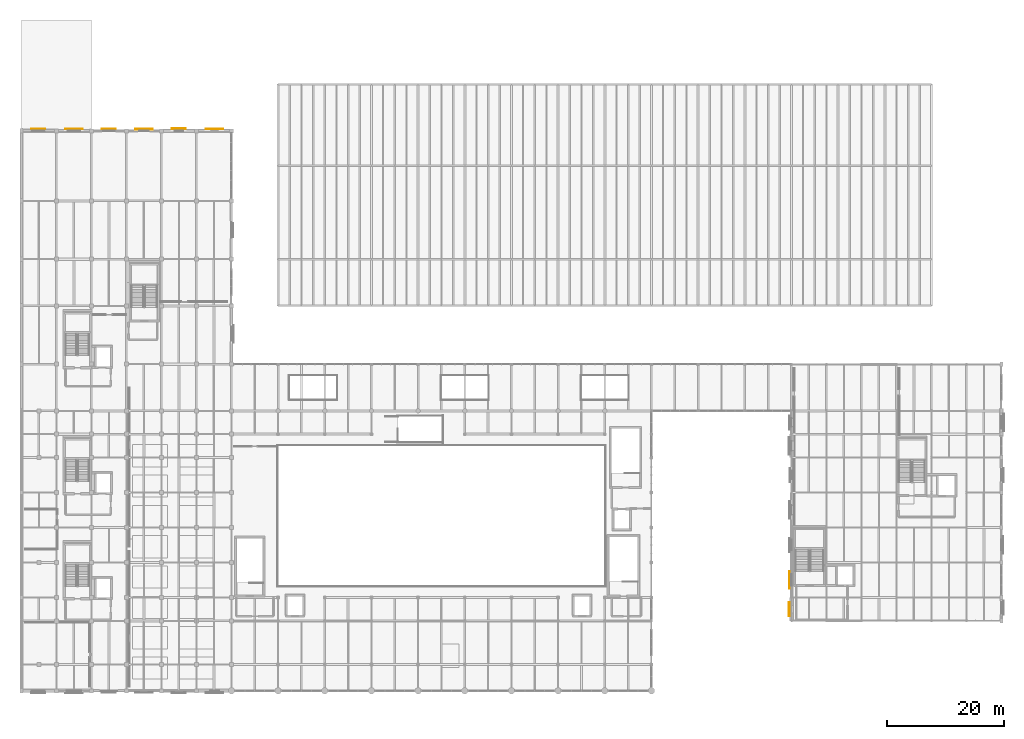
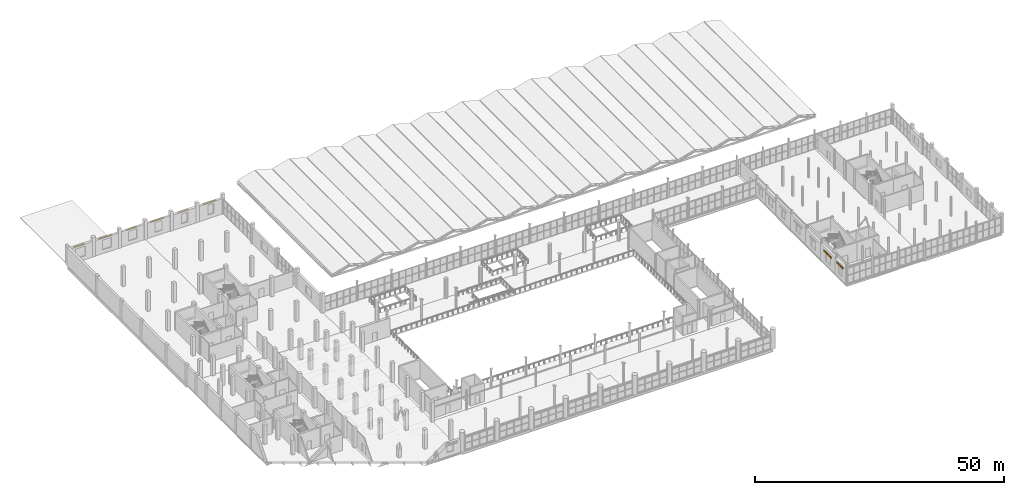
# One storey, part 111 of 114: 8 shading devices.
"""IFC4 building model written with IfcOpenShell, lengths in metres."""

from ifc_helpers import new_model, si_unit, direction, frame, origin, origin_2d, place, context, subcontext, project, spatial, rectangle, extrude, material, type_object, element, save


model = new_model("IFC4")

# Units and contexts
model_context = context("Model", 3, precision=1e-05, world=origin(), true_north=direction((0.0, 1.0)))
body_context = subcontext(model_context, "Body", "Model", "MODEL_VIEW")
ifc_project = project(units=[si_unit("LENGTHUNIT", "METRE"), si_unit("AREAUNIT", "SQUARE_METRE"), si_unit("VOLUMEUNIT", "CUBIC_METRE"), si_unit("PLANEANGLEUNIT", "RADIAN"), si_unit("MASSUNIT", "GRAM", prefix="KILO")], contexts=[model_context])

# Site, building, storey
site_placement = place(None, origin())
site = spatial("IfcSite", under=ifc_project, at=site_placement, CompositionType="ELEMENT")
building_placement = place(site_placement, origin())
building = spatial("IfcBuilding", under=site, at=building_placement, Name="Verrall Gate Interchange", CompositionType="ELEMENT")
storey_placement = place(building_placement, frame((0.0, 0.0, 6.60009765625)))
storey = spatial("IfcBuildingStorey", under=building, at=storey_placement, Name="L02", CompositionType="ELEMENT", Elevation=6.60009765625)

# Shading devices
ifc_material_1 = material(Name="Architectural Bronze Anodized Extruded Louvre Assembly", Category="aluminium")
shading_device_type_1 = type_object("IfcShadingDeviceType", Name="LV-01 Architectural Intake Louvre 2400x1200", PredefinedType="JALOUSIE", material=ifc_material_1)
for number, where, z_axis, x_axis, name in (
    (1, (131.6298828125, 14.0, 3.259765625), (0.0, 0.0, 1.0), (0.0, -1.0, 0.0), "L02 Architectural Bronze Brise-Soleil Louvre 017"),
    (2, (27.0, 96.3701171875, 3.259765625), (0.0, 0.0, 1.0), (-1.0, 0.0, 0.0), "L02 Architectural Bronze Brise-Soleil Louvre 021"),
    (3, (15.0, 96.2900390625, 3.259765625), (0.0, 0.0, 1.0), (-1.0, 0.0, 0.0), "L02 Architectural Bronze Brise-Soleil Louvre 023"),
    (4, (2.87890625, 96.340087890625, 3.259765625), (0.0, 0.0, 1.0), (-1.0, 0.0, 0.0), "L02 Architectural Bronze Brise-Soleil Louvre 025"),
):
    element("IfcShadingDevice", number, at=place(storey_placement, frame(where, z_axis=z_axis, x_axis=x_axis)), inside=storey, type_object=shading_device_type_1, Name=name, PredefinedType="JALOUSIE", context=body_context, shape_type="SweptSolid", body=[
        extrude(rectangle(XDim=2.39990234375, YDim=0.1201171875, at=origin_2d()), origin(), (0.0, 0.0, 1.0), 0.320068359375),
    ])
ifc_material_2 = material(Name="Architectural Bronze Anodized Extruded Louvre Assembly", Category="aluminium")
shading_device_type_2 = type_object("IfcShadingDeviceType", Name="LV-02 Architectural Intake Louvre 3000x1400", PredefinedType="JALOUSIE", material=ifc_material_2)
for number, where, z_axis, x_axis, name in (
    (5, (131.659912109375, 19.0, 2.9599609375), (0.0, 0.0, 1.0), (0.0, -1.0, 0.0), "L02 Architectural Bronze Brise-Soleil Louvre 016"),
    (6, (33.12109375, 96.340087890625, 3.259765625), (0.0, 0.0, 1.0), (-1.0, 0.0, 0.0), "L02 Architectural Bronze Brise-Soleil Louvre 020"),
    (7, (21.0, 96.27001953125, 3.259765625), (0.0, 0.0, 1.0), (-1.0, 0.0, 0.0), "L02 Architectural Bronze Brise-Soleil Louvre 022"),
    (8, (9.0, 96.320068359375, 3.259765625), (0.0, 0.0, 1.0), (-1.0, 0.0, 0.0), "L02 Architectural Bronze Brise-Soleil Louvre 024"),
):
    element("IfcShadingDevice", number, at=place(storey_placement, frame(where, z_axis=z_axis, x_axis=x_axis)), inside=storey, type_object=shading_device_type_2, Name=name, PredefinedType="JALOUSIE", context=body_context, shape_type="SweptSolid", body=[
        extrude(rectangle(XDim=3.0, YDim=0.1201171875, at=origin_2d()), origin(), (0.0, 0.0, 1.0), 0.320068359375),
    ])

save(model, "model.ifc")
